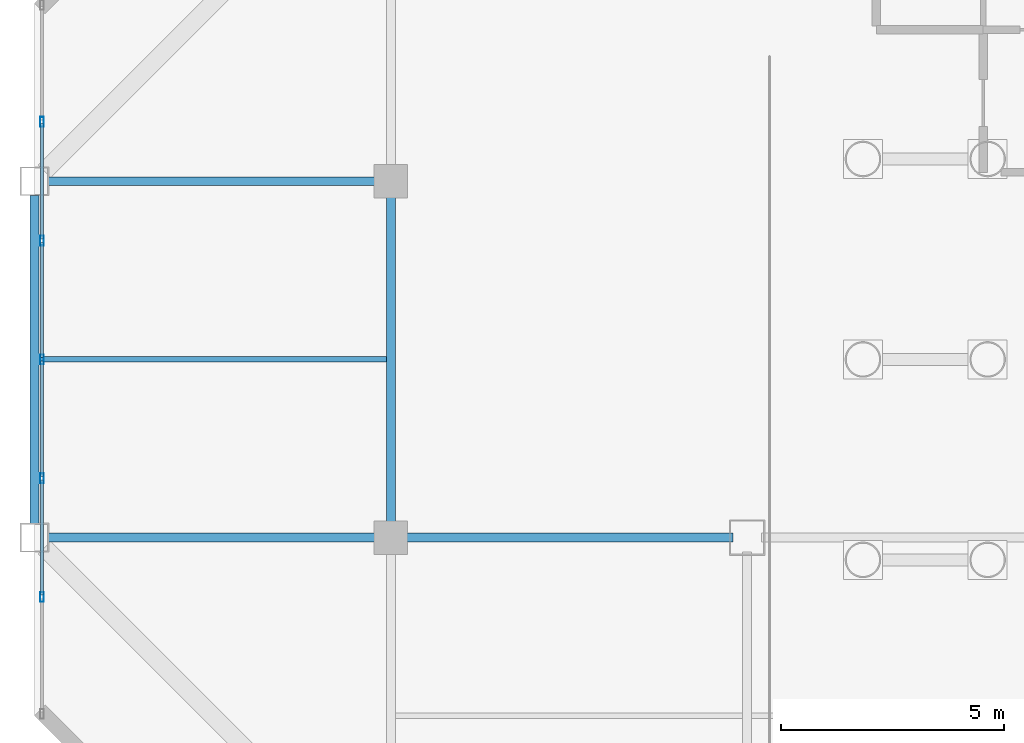
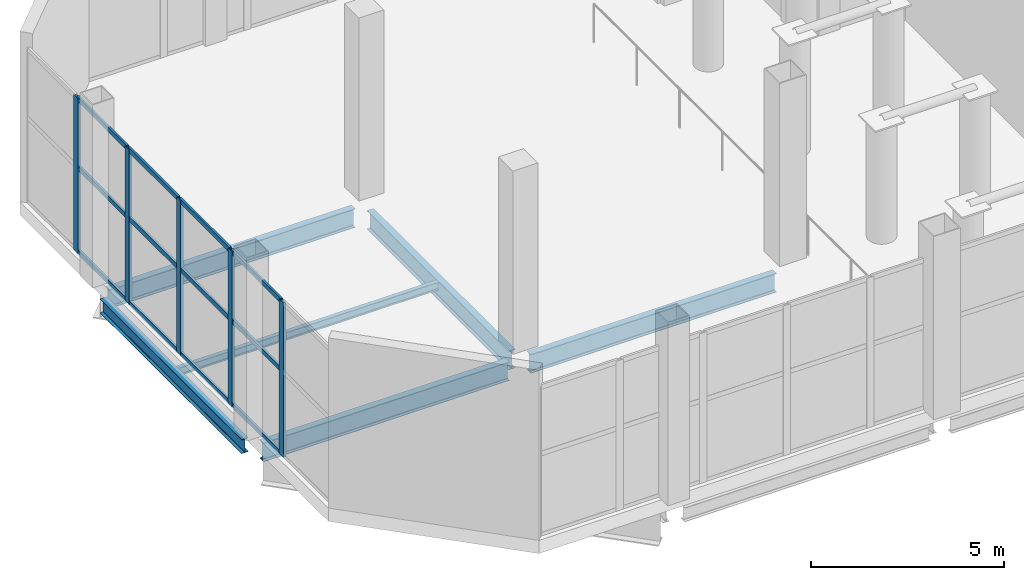
# One storey, part 5 of 18: 17 members, 6 beams, 1 element without a shape of its own.
"""IFC4 building model written with IfcOpenShell, lengths in metres."""

from ifc_helpers import new_model, si_unit, direction, frame, origin, origin_2d, place, context, subcontext, project, spatial, hollow_rectangle, i_section, extrude, material, layer, layer_set, material_profile, profile_set, type_object, element, aggregate, save


model = new_model("IFC4")

# Units and contexts
model_context = context("Model", 3, precision=1e-05, world=origin(), true_north=direction((0.0, 1.0)))
body_context = subcontext(model_context, "Body", "Model", "MODEL_VIEW")
ifc_project = project(units=[si_unit("LENGTHUNIT", "METRE"), si_unit("AREAUNIT", "SQUARE_METRE"), si_unit("VOLUMEUNIT", "CUBIC_METRE"), si_unit("PLANEANGLEUNIT", "RADIAN"), si_unit("MASSUNIT", "GRAM", prefix="KILO")], contexts=[model_context])

# Site, building, storey
site_placement = place(None, origin())
site = spatial("IfcSite", under=ifc_project, at=site_placement, CompositionType="ELEMENT")
building_placement = place(site_placement, origin())
building = spatial("IfcBuilding", under=site, at=building_placement, Name="Qianrong Seaharbour Tower", CompositionType="ELEMENT")
storey_placement = place(building_placement, frame((0.0, 0.0, 367.199951171875)))
storey = spatial("IfcBuildingStorey", under=building, at=storey_placement, Name="L89", CompositionType="ELEMENT", Elevation=367.199951171875)

# Beams
ifc_material_1 = material(Name="Structural steel SN490B", Category="steel")
ifc_material_profile_1 = material_profile(ifc_material_1, i_section(OverallWidth=0.199951171875, OverallDepth=0.60009765625, WebThickness=0.010986328125, FlangeThickness=0.01708984375, FilletRadius=0.02197265625, at=origin_2d()), Name="H600x200x11x17")
ifc_profile_set_1 = profile_set([ifc_material_profile_1], Name="Structural steel SN490B")
beam_type_1 = type_object("IfcBeamType", Name="BM-G-600", PredefinedType="BEAM", material=ifc_profile_set_1)
for number, where, z_axis, x_axis, name in (
    (1, (16.820068359375, 36.0, -0.719970703125), (1.0, 0.0, 0.0), (0.0, 1.0, 0.0), "L89 Primary Girder GF G3-G4"),
    (2, (24.820068359375, 36.0, -0.719970703125), (1.0, 0.0, 0.0), (0.0, 1.0, 0.0), "L89 Primary Girder GF G4-G5"),
    (3, (16.820068359375, 44.0, -0.719970703125), (1.0, 0.0, 0.0), (0.0, 1.0, 0.0), "L89 Primary Girder GG G3-G4"),
    (4, (24.5, 36.320068359375, -0.719970703125), (0.0, 1.0, 0.0), (-1.0, 0.0, 0.0), "L89 Primary Girder G4 GF-GG"),
):
    element("IfcBeam", number, at=place(storey_placement, frame(where, z_axis=z_axis, x_axis=x_axis)), inside=storey, type_object=beam_type_1, Name=name, PredefinedType="BEAM", context=body_context, shape_type="SweptSolid", body=[
        extrude(i_section(OverallWidth=0.199951171875, OverallDepth=0.60009765625, WebThickness=0.010986328125, FlangeThickness=0.01708984375, FilletRadius=0.02197265625, at=origin_2d()), origin(), (0.0, 0.0, 1.0), 7.35986328125),
    ])
ifc_material_2 = material(Name="Structural steel SN400B", Category="steel")
ifc_material_profile_2 = material_profile(ifc_material_2, i_section(OverallWidth=0.125, OverallDepth=0.25, WebThickness=0.006103515625, FlangeThickness=0.009033203125, FilletRadius=0.011962890625, at=origin_2d()), Name="H250x125x6x9")
ifc_profile_set_2 = profile_set([ifc_material_profile_2], Name="Structural steel SN400B")
beam_type_2 = type_object("IfcBeamType", Name="BM-J-250", PredefinedType="JOIST", material=ifc_profile_set_2)
beam_1_placement = place(storey_placement, frame((16.60009765625, 40.0, -0.544921875), z_axis=(1.0, 0.0, 0.0), x_axis=(0.0, 1.0, 0.0)))
element("IfcBeam", 5, at=beam_1_placement, inside=storey, type_object=beam_type_2, Name="L89 Composite Floor Joist G3-G4/GF-GG", PredefinedType="JOIST", context=body_context, shape_type="SweptSolid", body=[
    extrude(i_section(OverallWidth=0.125, OverallDepth=0.25, WebThickness=0.006103515625, FlangeThickness=0.009033203125, FilletRadius=0.011962890625, at=origin_2d()), origin(), (0.0, 0.0, 1.0), 7.7998046875),
])
ifc_material_profile_3 = material_profile(ifc_material_2, i_section(OverallWidth=0.199951171875, OverallDepth=0.449951171875, WebThickness=0.009033203125, FlangeThickness=0.013916015625, FilletRadius=0.01806640625, at=origin_2d()), Name="H450x200x9x14")
ifc_profile_set_3 = profile_set([ifc_material_profile_3], Name="Structural steel SN400B")
beam_type_3 = type_object("IfcBeamType", Name="BM-SP-450", PredefinedType="SPANDREL", material=ifc_profile_set_3)
beam_2_placement = place(storey_placement, frame((16.5, 36.320068359375, -0.64501953125), z_axis=(0.0, 1.0, 0.0), x_axis=(-1.0, 0.0, 0.0)))
element("IfcBeam", 6, at=beam_2_placement, inside=storey, type_object=beam_type_3, Name="L89 Spandrel Girder G3 GF-GG", PredefinedType="SPANDREL", context=body_context, shape_type="SweptSolid", body=[
    extrude(i_section(OverallWidth=0.199951171875, OverallDepth=0.449951171875, WebThickness=0.009033203125, FlangeThickness=0.013916015625, FilletRadius=0.01806640625, at=origin_2d()), origin(), (0.0, 0.0, 1.0), 7.35986328125),
])

# Curtain wall, members
ifc_material_3 = material(Name="Anodised aluminium 6063-T6 and laminated low-e glass", Category="aluminium")
ifc_layer = layer(ifc_material_3, 0.22998046875)
ifc_layer_set = layer_set([ifc_layer], Name="Anodised aluminium 6063-T6 and laminated low-e glass")
curtain_wall_type = type_object("IfcCurtainWallType", Name="CW-SYS-5", PredefinedType="NOTDEFINED", material=ifc_layer_set)
curtain_wall_placement = place(storey_placement, origin())
curtain_wall = element("IfcCurtainWall", 7, at=curtain_wall_placement, inside=storey, type_object=curtain_wall_type, Name="L89 Venturi Wind-Turbine Shroud Curtain Wall WEST_TIP", PredefinedType="NOTDEFINED")
ifc_material_4 = material(Name="Extruded aluminium 6063-T6", Category="aluminium")
ifc_material_profile_4 = material_profile(ifc_material_4, hollow_rectangle(XDim=0.080078125, YDim=0.219970703125, WallThickness=0.0048828125, at=origin_2d()), Name="ALU-MUL-220x80x5")
ifc_profile_set_4 = profile_set([ifc_material_profile_4], Name="Extruded aluminium 6063-T6")
member_type_1 = type_object("IfcMemberType", Name="CW-MUL-220", PredefinedType="MULLION", material=ifc_profile_set_4)
member_1_placement = place(storey_placement, frame((16.669921875, 34.666748046875, 0.0), z_axis=(0.0, 0.0, 1.0), x_axis=(-1.0, 0.0, 0.0)))
member_1 = element("IfcMember", 8, at=member_1_placement, type_object=member_type_1, Name="CW-5 mullion 2", PredefinedType="MULLION", context=body_context, shape_type="SweptSolid", body=[
    extrude(hollow_rectangle(XDim=0.080078125, YDim=0.219970703125, WallThickness=0.0048828125, at=origin_2d()), origin(), (0.0, 0.0, 1.0), 4.900146484375),
])
member_2_placement = place(storey_placement, frame((16.669921875, 37.333251953125, 0.0), z_axis=(0.0, 0.0, 1.0), x_axis=(-1.0, 0.0, 0.0)))
member_2 = element("IfcMember", 9, at=member_2_placement, type_object=member_type_1, Name="CW-5 mullion 3", PredefinedType="MULLION", context=body_context, shape_type="SweptSolid", body=[
    extrude(hollow_rectangle(XDim=0.080078125, YDim=0.219970703125, WallThickness=0.0048828125, at=origin_2d()), origin(), (0.0, 0.0, 1.0), 4.900146484375),
])
member_3_placement = place(storey_placement, frame((16.669921875, 40.0, 0.0), z_axis=(0.0, 0.0, 1.0), x_axis=(-1.0, 0.0, 0.0)))
member_3 = element("IfcMember", 10, at=member_3_placement, type_object=member_type_1, Name="CW-5 mullion 4", PredefinedType="MULLION", context=body_context, shape_type="SweptSolid", body=[
    extrude(hollow_rectangle(XDim=0.080078125, YDim=0.219970703125, WallThickness=0.0048828125, at=origin_2d()), origin(), (0.0, 0.0, 1.0), 4.900146484375),
])
member_4_placement = place(storey_placement, frame((16.669921875, 42.666748046875, 0.0), z_axis=(0.0, 0.0, 1.0), x_axis=(-1.0, 0.0, 0.0)))
member_4 = element("IfcMember", 11, at=member_4_placement, type_object=member_type_1, Name="CW-5 mullion 5", PredefinedType="MULLION", context=body_context, shape_type="SweptSolid", body=[
    extrude(hollow_rectangle(XDim=0.080078125, YDim=0.219970703125, WallThickness=0.0048828125, at=origin_2d()), origin(), (0.0, 0.0, 1.0), 4.900146484375),
])
member_5_placement = place(storey_placement, frame((16.669921875, 45.333251953125, 0.0), z_axis=(0.0, 0.0, 1.0), x_axis=(-1.0, 0.0, 0.0)))
member_5 = element("IfcMember", 12, at=member_5_placement, type_object=member_type_1, Name="CW-5 mullion 6", PredefinedType="MULLION", context=body_context, shape_type="SweptSolid", body=[
    extrude(hollow_rectangle(XDim=0.080078125, YDim=0.219970703125, WallThickness=0.0048828125, at=origin_2d()), origin(), (0.0, 0.0, 1.0), 4.900146484375),
])
ifc_material_profile_5 = material_profile(ifc_material_4, hollow_rectangle(XDim=0.06494140625, YDim=0.14990234375, WallThickness=0.00390625, at=origin_2d()), Name="ALU-TRN-150x65x4")
ifc_profile_set_5 = profile_set([ifc_material_profile_5], Name="Extruded aluminium 6063-T6")
member_type_2 = type_object("IfcMemberType", Name="CW-TRN-150", PredefinedType="USERDEFINED", material=ifc_profile_set_5)
member_6_placement = place(storey_placement, frame((16.669921875, 34.706787109375, 0.032470703125), z_axis=(0.0, 1.0, 0.0), x_axis=(-1.0, 0.0, 0.0)))
member_6 = element("IfcMember", 13, at=member_6_placement, type_object=member_type_2, Name="CW-5 transom 2.1", ObjectType="TRANSOM", PredefinedType="USERDEFINED", context=body_context, shape_type="SweptSolid", body=[
    extrude(hollow_rectangle(XDim=0.06494140625, YDim=0.14990234375, WallThickness=0.00390625, at=origin_2d()), origin(), (0.0, 0.0, 1.0), 2.58642578125),
])
member_7_placement = place(storey_placement, frame((16.669921875, 34.706787109375, 2.695068359375), z_axis=(0.0, 1.0, 0.0), x_axis=(-1.0, 0.0, 0.0)))
member_7 = element("IfcMember", 14, at=member_7_placement, type_object=member_type_2, Name="CW-5 transom 2.2", ObjectType="TRANSOM", PredefinedType="USERDEFINED", context=body_context, shape_type="SweptSolid", body=[
    extrude(hollow_rectangle(XDim=0.06494140625, YDim=0.14990234375, WallThickness=0.00390625, at=origin_2d()), origin(), (0.0, 0.0, 1.0), 2.58642578125),
])
member_8_placement = place(storey_placement, frame((16.669921875, 34.706787109375, 4.867431640625), z_axis=(0.0, 1.0, 0.0), x_axis=(-1.0, 0.0, 0.0)))
member_8 = element("IfcMember", 15, at=member_8_placement, type_object=member_type_2, Name="CW-5 transom 2.3", ObjectType="TRANSOM", PredefinedType="USERDEFINED", context=body_context, shape_type="SweptSolid", body=[
    extrude(hollow_rectangle(XDim=0.06494140625, YDim=0.14990234375, WallThickness=0.00390625, at=origin_2d()), origin(), (0.0, 0.0, 1.0), 2.58642578125),
])
member_9_placement = place(storey_placement, frame((16.669921875, 37.373291015625, 0.032470703125), z_axis=(0.0, 1.0, 0.0), x_axis=(-1.0, 0.0, 0.0)))
member_9 = element("IfcMember", 16, at=member_9_placement, type_object=member_type_2, Name="CW-5 transom 3.1", ObjectType="TRANSOM", PredefinedType="USERDEFINED", context=body_context, shape_type="SweptSolid", body=[
    extrude(hollow_rectangle(XDim=0.06494140625, YDim=0.14990234375, WallThickness=0.00390625, at=origin_2d()), origin(), (0.0, 0.0, 1.0), 2.586669921875),
])
member_10_placement = place(storey_placement, frame((16.669921875, 37.373291015625, 2.695068359375), z_axis=(0.0, 1.0, 0.0), x_axis=(-1.0, 0.0, 0.0)))
member_10 = element("IfcMember", 17, at=member_10_placement, type_object=member_type_2, Name="CW-5 transom 3.2", ObjectType="TRANSOM", PredefinedType="USERDEFINED", context=body_context, shape_type="SweptSolid", body=[
    extrude(hollow_rectangle(XDim=0.06494140625, YDim=0.14990234375, WallThickness=0.00390625, at=origin_2d()), origin(), (0.0, 0.0, 1.0), 2.586669921875),
])
member_11_placement = place(storey_placement, frame((16.669921875, 37.373291015625, 4.867431640625), z_axis=(0.0, 1.0, 0.0), x_axis=(-1.0, 0.0, 0.0)))
member_11 = element("IfcMember", 18, at=member_11_placement, type_object=member_type_2, Name="CW-5 transom 3.3", ObjectType="TRANSOM", PredefinedType="USERDEFINED", context=body_context, shape_type="SweptSolid", body=[
    extrude(hollow_rectangle(XDim=0.06494140625, YDim=0.14990234375, WallThickness=0.00390625, at=origin_2d()), origin(), (0.0, 0.0, 1.0), 2.586669921875),
])
member_12_placement = place(storey_placement, frame((16.669921875, 40.0400390625, 0.032470703125), z_axis=(0.0, 1.0, 0.0), x_axis=(-1.0, 0.0, 0.0)))
member_12 = element("IfcMember", 19, at=member_12_placement, type_object=member_type_2, Name="CW-5 transom 4.1", ObjectType="TRANSOM", PredefinedType="USERDEFINED", context=body_context, shape_type="SweptSolid", body=[
    extrude(hollow_rectangle(XDim=0.06494140625, YDim=0.14990234375, WallThickness=0.00390625, at=origin_2d()), origin(), (0.0, 0.0, 1.0), 2.586669921875),
])
member_13_placement = place(storey_placement, frame((16.669921875, 40.0400390625, 2.695068359375), z_axis=(0.0, 1.0, 0.0), x_axis=(-1.0, 0.0, 0.0)))
member_13 = element("IfcMember", 20, at=member_13_placement, type_object=member_type_2, Name="CW-5 transom 4.2", ObjectType="TRANSOM", PredefinedType="USERDEFINED", context=body_context, shape_type="SweptSolid", body=[
    extrude(hollow_rectangle(XDim=0.06494140625, YDim=0.14990234375, WallThickness=0.00390625, at=origin_2d()), origin(), (0.0, 0.0, 1.0), 2.586669921875),
])
member_14_placement = place(storey_placement, frame((16.669921875, 40.0400390625, 4.867431640625), z_axis=(0.0, 1.0, 0.0), x_axis=(-1.0, 0.0, 0.0)))
member_14 = element("IfcMember", 21, at=member_14_placement, type_object=member_type_2, Name="CW-5 transom 4.3", ObjectType="TRANSOM", PredefinedType="USERDEFINED", context=body_context, shape_type="SweptSolid", body=[
    extrude(hollow_rectangle(XDim=0.06494140625, YDim=0.14990234375, WallThickness=0.00390625, at=origin_2d()), origin(), (0.0, 0.0, 1.0), 2.586669921875),
])
member_15_placement = place(storey_placement, frame((16.669921875, 42.706787109375, 0.032470703125), z_axis=(0.0, 1.0, 0.0), x_axis=(-1.0, 0.0, 0.0)))
member_15 = element("IfcMember", 22, at=member_15_placement, type_object=member_type_2, Name="CW-5 transom 5.1", ObjectType="TRANSOM", PredefinedType="USERDEFINED", context=body_context, shape_type="SweptSolid", body=[
    extrude(hollow_rectangle(XDim=0.06494140625, YDim=0.14990234375, WallThickness=0.00390625, at=origin_2d()), origin(), (0.0, 0.0, 1.0), 2.58642578125),
])
member_16_placement = place(storey_placement, frame((16.669921875, 42.706787109375, 2.695068359375), z_axis=(0.0, 1.0, 0.0), x_axis=(-1.0, 0.0, 0.0)))
member_16 = element("IfcMember", 23, at=member_16_placement, type_object=member_type_2, Name="CW-5 transom 5.2", ObjectType="TRANSOM", PredefinedType="USERDEFINED", context=body_context, shape_type="SweptSolid", body=[
    extrude(hollow_rectangle(XDim=0.06494140625, YDim=0.14990234375, WallThickness=0.00390625, at=origin_2d()), origin(), (0.0, 0.0, 1.0), 2.58642578125),
])
member_17_placement = place(storey_placement, frame((16.669921875, 42.706787109375, 4.867431640625), z_axis=(0.0, 1.0, 0.0), x_axis=(-1.0, 0.0, 0.0)))
member_17 = element("IfcMember", 24, at=member_17_placement, type_object=member_type_2, Name="CW-5 transom 5.3", ObjectType="TRANSOM", PredefinedType="USERDEFINED", context=body_context, shape_type="SweptSolid", body=[
    extrude(hollow_rectangle(XDim=0.06494140625, YDim=0.14990234375, WallThickness=0.00390625, at=origin_2d()), origin(), (0.0, 0.0, 1.0), 2.58642578125),
])
aggregate(curtain_wall, [member_1, member_2, member_3, member_4, member_5, member_6, member_7, member_8, member_9, member_10, member_11, member_12, member_13, member_14, member_15, member_16, member_17])

save(model, "model.ifc")
